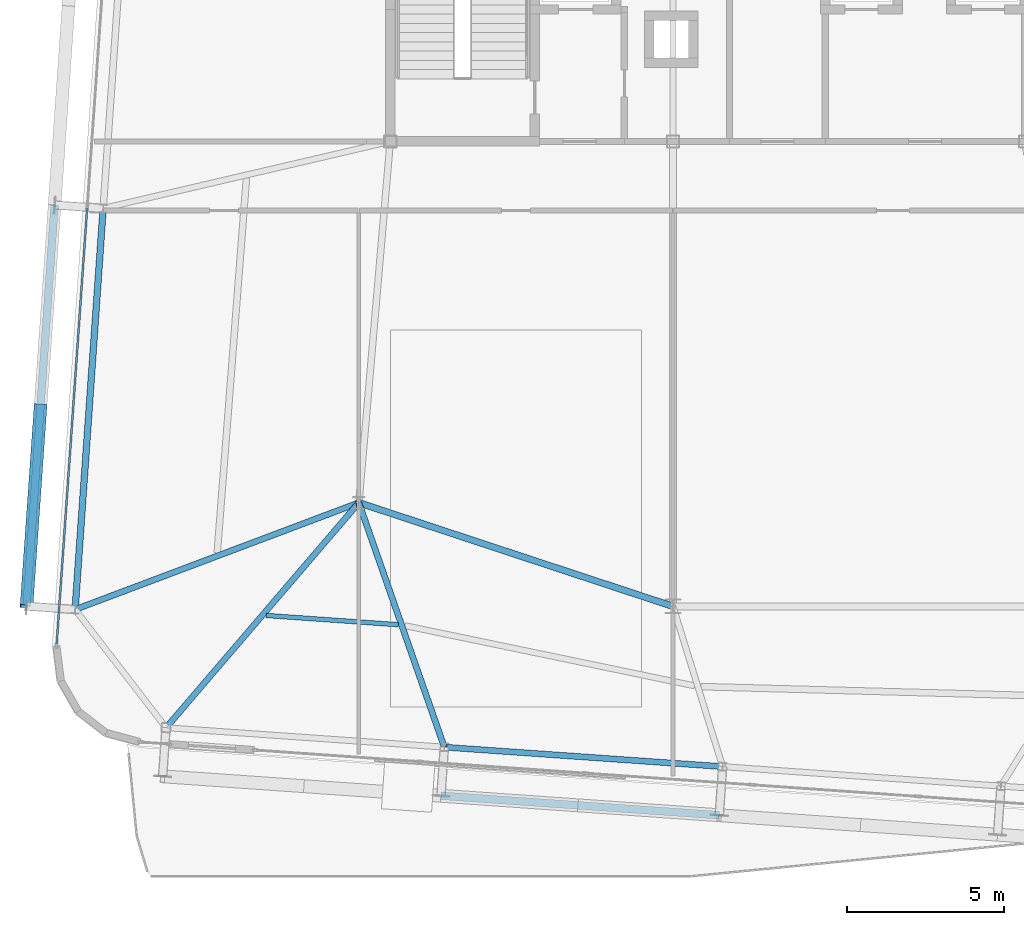
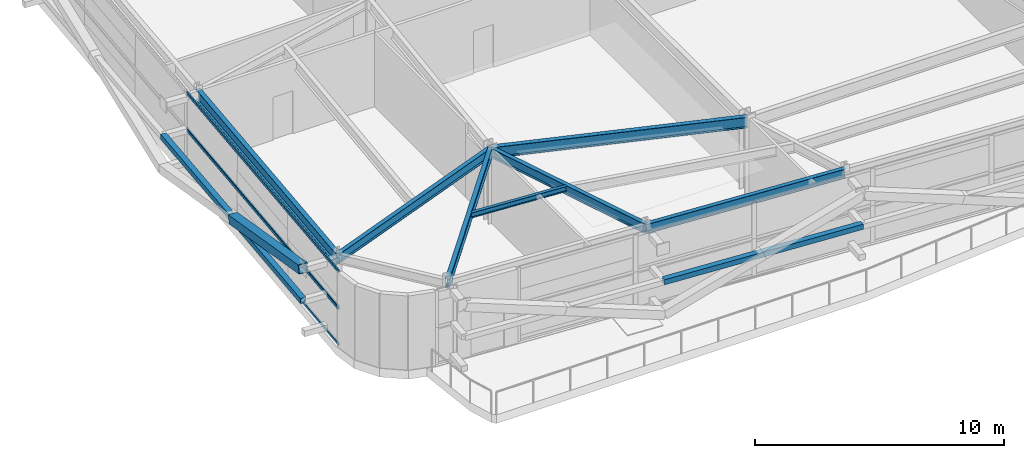
# One storey, part 7 of 36: 7 beams, 7 members, 2 elements without a shape of their own.
"""IFC4 building model written with IfcOpenShell, lengths in metres."""

from ifc_helpers import new_model, si_unit, direction, frame, origin, origin_2d, place, context, subcontext, project, spatial, hollow_rectangle, i_section, extrude, source, transform, mapped, material, layer, layer_set, material_profile, profile_set, type_object, element, aggregate, save


model = new_model("IFC4")

# Units and contexts
model_context = context("Model", 3, precision=1e-05, world=origin(), true_north=direction((0.0, 1.0)))
body_context = subcontext(model_context, "Body", "Model", "MODEL_VIEW")
ifc_project = project(units=[si_unit("LENGTHUNIT", "METRE"), si_unit("AREAUNIT", "SQUARE_METRE"), si_unit("VOLUMEUNIT", "CUBIC_METRE"), si_unit("PLANEANGLEUNIT", "RADIAN"), si_unit("MASSUNIT", "GRAM", prefix="KILO")], contexts=[model_context])

# Site, building, storey
site_placement = place(None, origin())
site = spatial("IfcSite", under=ifc_project, at=site_placement, CompositionType="ELEMENT")
building_placement = place(site_placement, origin())
building = spatial("IfcBuilding", under=site, at=building_placement, Name="Taldren Reach Tower", CompositionType="ELEMENT")
storey_placement = place(building_placement, frame((0.0, 0.0, 116.550048828125)))
storey = spatial("IfcBuildingStorey", under=building, at=storey_placement, Name="L35", CompositionType="ELEMENT", Elevation=116.550048828125)

# Beams
ifc_material_1 = material(Name="Steel Gr 350 (350PLUS)", Category="steel")
ifc_material_profile_1 = material_profile(ifc_material_1, i_section(OverallWidth=0.208984375, OverallDepth=0.532958984375, WebThickness=0.01025390625, FlangeThickness=0.015625, at=origin_2d()), Name="530UB92.4")
ifc_profile_set_1 = profile_set([ifc_material_profile_1], Name="Steel Gr 350 (350PLUS)")
beam_type_1 = type_object("IfcBeamType", Name="BM-UB530A", PredefinedType="BEAM", material=ifc_profile_set_1)
shared_shape_1 = source(origin(), body_context, "Body", "SweptSolid", [
    extrude(i_section(OverallWidth=0.208984375, OverallDepth=0.532958984375, WebThickness=0.01025390625, FlangeThickness=0.015625, at=origin_2d()), origin(), (0.0, 0.0, 1.0), 10.530517578125),
])
beam_1_placement = place(storey_placement, frame((18.0, 12.5, 3.363525390625), z_axis=(0.949627269203, -0.313381635689, 0.0), x_axis=(0.313381635689, 0.949627269203, 0.0)))
element("IfcBeam", 1, at=beam_1_placement, inside=storey, type_object=beam_type_1, Name="Core-spine girder L35-SP10", PredefinedType="BEAM", context=body_context, shape_type="MappedRepresentation", body=[
    mapped(shared_shape_1, transform((0.0, 0.0, 0.0), scale=1.0)),
])
ifc_material_profile_2 = material_profile(ifc_material_1, i_section(OverallWidth=0.18994140625, OverallDepth=0.4541015625, WebThickness=0.008544921875, FlangeThickness=0.0126953125, at=origin_2d()), Name="460UB67.1")
ifc_profile_set_2 = profile_set([ifc_material_profile_2], Name="Steel Gr 350 (350PLUS)")
beam_type_2 = type_object("IfcBeamType", Name="SP-UB460B", PredefinedType="SPANDREL", material=ifc_profile_set_2)
shared_shape_2 = source(origin(), body_context, "Body", "SweptSolid", [
    extrude(i_section(OverallWidth=0.18994140625, OverallDepth=0.4541015625, WebThickness=0.008544921875, FlangeThickness=0.0126953125, at=origin_2d()), origin(), (0.0, 0.0, 1.0), 8.880126953125),
])
beam_2_placement = place(storey_placement, frame((20.721923828125, 4.718994140625, 3.40283203125), z_axis=(0.997564479639, -0.069750333063, 0.0), x_axis=(0.069750333063, 0.997564479639, 0.0)))
element("IfcBeam", 2, at=beam_2_placement, inside=storey, type_object=beam_type_2, Name="Perimeter spandrel B3 S2-S3 L35", PredefinedType="SPANDREL", context=body_context, shape_type="MappedRepresentation", body=[
    mapped(shared_shape_2, transform((0.0, 0.0, 0.0), scale=1.0)),
])
ifc_material_profile_3 = material_profile(ifc_material_1, i_section(OverallWidth=0.208984375, OverallDepth=0.528076171875, WebThickness=0.009521484375, FlangeThickness=0.01318359375, at=origin_2d()), Name="530UB82.0")
ifc_profile_set_3 = profile_set([ifc_material_profile_3], Name="Steel Gr 350 (350PLUS)")
beam_type_3 = type_object("IfcBeamType", Name="SP-UB530B", PredefinedType="SPANDREL", material=ifc_profile_set_3)
shared_shape_3 = source(origin(), body_context, "Body", "SweptSolid", [
    extrude(i_section(OverallWidth=0.208984375, OverallDepth=0.528076171875, WebThickness=0.009521484375, FlangeThickness=0.01318359375, at=origin_2d()), origin(), (0.0, 0.0, 1.0), 12.800048828125),
])
beam_3_placement = place(storey_placement, frame((9.86181640625, 21.868408203125, 3.365966796875), z_axis=(-0.069770857464, -0.997563044348, 0.0), x_axis=(0.997563044348, -0.069770857464, 0.0)))
element("IfcBeam", 3, at=beam_3_placement, inside=storey, type_object=beam_type_3, Name="Perimeter spandrel B3 W2-W1 L35", PredefinedType="SPANDREL", context=body_context, shape_type="MappedRepresentation", body=[
    mapped(shared_shape_3, transform((0.0, 0.0, 0.0), scale=1.0)),
])
ifc_material_profile_4 = material_profile(ifc_material_1, i_section(OverallWidth=0.19091796875, OverallDepth=0.4599609375, WebThickness=0.010009765625, FlangeThickness=0.01611328125, at=origin_2d()), Name="460UB82.1")
ifc_profile_set_4 = profile_set([ifc_material_profile_4], Name="Steel Gr 350 (350PLUS)")
beam_type_4 = type_object("IfcBeamType", Name="BM-UB460A", PredefinedType="BEAM", material=ifc_profile_set_4)
shared_shape_4 = source(origin(), body_context, "Body", "SweptSolid", [
    extrude(i_section(OverallWidth=0.19091796875, OverallDepth=0.4599609375, WebThickness=0.010009765625, FlangeThickness=0.01611328125, at=origin_2d()), origin(), (0.0, 0.0, 1.0), 9.43115234375),
])
beam_4_placement = place(storey_placement, frame((18.0, 12.5, 3.39990234375), z_axis=(-0.650665584965, -0.759364402999, 0.0), x_axis=(0.759364402999, -0.650665584965, 0.0)))
element("IfcBeam", 4, at=beam_4_placement, inside=storey, type_object=beam_type_4, Name="Primary floor girder B3-S1 L35", PredefinedType="BEAM", context=body_context, shape_type="MappedRepresentation", body=[
    mapped(shared_shape_4, transform((0.0, 0.0, 0.0), scale=1.0)),
])
shared_shape_5 = source(origin(), body_context, "Body", "SweptSolid", [
    extrude(i_section(OverallWidth=0.19091796875, OverallDepth=0.4599609375, WebThickness=0.010009765625, FlangeThickness=0.01611328125, at=origin_2d()), origin(), (0.0, 0.0, 1.0), 8.243408203125),
])
beam_5_placement = place(storey_placement, frame((18.0, 12.5, 3.39990234375), z_axis=(0.330196070713, -0.943912366105, 0.0), x_axis=(0.943912366105, 0.330196070713, 0.0)))
element("IfcBeam", 5, at=beam_5_placement, inside=storey, type_object=beam_type_4, Name="Primary floor girder B3-S2 L35", PredefinedType="BEAM", context=body_context, shape_type="MappedRepresentation", body=[
    mapped(shared_shape_5, transform((0.0, 0.0, 0.0), scale=1.0)),
])
shared_shape_6 = source(origin(), body_context, "Body", "SweptSolid", [
    extrude(i_section(OverallWidth=0.19091796875, OverallDepth=0.4599609375, WebThickness=0.010009765625, FlangeThickness=0.01611328125, at=origin_2d()), origin(), (0.0, 0.0, 1.0), 9.650146484375),
])
beam_6_placement = place(storey_placement, frame((18.0, 12.5, 3.39990234375), z_axis=(-0.935862573906, -0.352365212191, 0.0), x_axis=(0.352365212191, -0.935862573906, 0.0)))
element("IfcBeam", 6, at=beam_6_placement, inside=storey, type_object=beam_type_4, Name="Primary floor girder B3-W1 L35", PredefinedType="BEAM", context=body_context, shape_type="MappedRepresentation", body=[
    mapped(shared_shape_6, transform((0.0, 0.0, 0.0), scale=1.0)),
])
ifc_material_2 = material(Name="Steel Gr 300 (300PLUS, 300 MPa)", Category="steel")
ifc_material_profile_5 = material_profile(ifc_material_2, i_section(OverallWidth=0.14599609375, OverallDepth=0.256103515625, WebThickness=0.00634765625, FlangeThickness=0.010986328125, at=origin_2d()), Name="250UB37.3")
ifc_profile_set_5 = profile_set([ifc_material_profile_5], Name="Steel Gr 300 (300PLUS, 300 MPa)")
beam_type_5 = type_object("IfcBeamType", Name="JS-UB250", PredefinedType="JOIST", material=ifc_profile_set_5)
shared_shape_7 = source(origin(), body_context, "Body", "SweptSolid", [
    extrude(i_section(OverallWidth=0.14599609375, OverallDepth=0.256103515625, WebThickness=0.00634765625, FlangeThickness=0.010986328125, at=origin_2d()), origin(), (0.0, 0.0, 1.0), 4.217041015625),
])
beam_7_placement = place(storey_placement, frame((15.050537109375, 8.910888671875, 3.501953125), z_axis=(0.997563683226, -0.069761722378, 0.0), x_axis=(0.069761722378, 0.997563683226, 0.0)))
element("IfcBeam", 7, at=beam_7_placement, inside=storey, type_object=beam_type_5, Name="Secondary floor joist B3 J1 L35", PredefinedType="JOIST", context=body_context, shape_type="MappedRepresentation", body=[
    mapped(shared_shape_7, transform((0.0, 0.0, 0.0), scale=1.0)),
])

# Members
ifc_material_3 = material(Name="Steel Gr 350 (C350L0)", Category="steel")
ifc_material_profile_6 = material_profile(ifc_material_3, hollow_rectangle(XDim=0.25, YDim=0.25, WallThickness=0.010009765625, at=origin_2d()), Name="250x250x10.0SHS")
ifc_profile_set_6 = profile_set([ifc_material_profile_6], Name="Steel Gr 350 (C350L0)")
member_type_1 = type_object("IfcMemberType", Name="MB-POST250", PredefinedType="POST", material=ifc_profile_set_6)
shared_shape_8 = source(origin(), body_context, "Body", "SweptSolid", [
    extrude(hollow_rectangle(XDim=0.25, YDim=0.25, WallThickness=0.010009765625, at=origin_2d()), origin(), (0.0, 0.0, 1.0), 8.880126953125),
])
member_1_placement = place(storey_placement, frame((20.61376953125, 3.1728515625, 1.784912109375), z_axis=(0.997562566276, -0.06977769246, 0.0), x_axis=(0.06977769246, 0.997562566276, 0.0)))
element("IfcMember", 8, at=member_1_placement, inside=storey, type_object=member_type_1, Name="Exoskeleton mid-height ring chord B3-S2 L35", PredefinedType="POST", context=body_context, shape_type="MappedRepresentation", body=[
    mapped(shared_shape_8, transform((0.0, 0.0, 0.0), scale=1.0)),
])
ifc_material_4 = material(Name="Steel Gr 450 (C450L0)", Category="steel")
ifc_material_profile_7 = material_profile(ifc_material_4, hollow_rectangle(XDim=0.409912109375, YDim=0.409912109375, WallThickness=0.01611328125, at=origin_2d()), Name="410x410x16.0SHS")
ifc_profile_set_7 = profile_set([ifc_material_profile_7], Name="Steel Gr 450 (C450L0)")
member_type_2 = type_object("IfcMemberType", Name="MB-EXO406", PredefinedType="BRACE", material=ifc_profile_set_7)
shared_shape_9 = source(origin(), body_context, "Body", "SweptSolid", [
    extrude(hollow_rectangle(XDim=0.409912109375, YDim=0.409912109375, WallThickness=0.01611328125, at=origin_2d()), origin(), (0.0, 0.0, 1.0), 6.588623046875),
])
member_2_placement = place(storey_placement, frame((7.869140625, 15.592041015625, 1.784912109375), z_axis=(-0.06777290834, -0.969015487146, 0.237520143498), x_axis=(0.997563137195, -0.069769529958, 0.0)))
element("IfcMember", 9, at=member_2_placement, inside=storey, type_object=member_type_2, Name="Exoskeleton Diagrid Brace B3-W1 L35", PredefinedType="BRACE", context=body_context, shape_type="MappedRepresentation", body=[
    mapped(shared_shape_9, transform((0.0, 0.0, 0.0), scale=1.0)),
])
shared_shape_10 = source(origin(), body_context, "Body", "SweptSolid", [
    extrude(hollow_rectangle(XDim=0.25, YDim=0.25, WallThickness=0.010009765625, at=origin_2d()), origin(), (0.0, 0.0, 1.0), 12.80029296875),
])
member_3_placement = place(storey_placement, frame((7.422607421875, 9.20751953125, 1.784912109375), z_axis=(0.069750549628, 0.997564464497, 0.0), x_axis=(-0.997564464497, 0.069750549628, 0.0)))
element("IfcMember", 10, at=member_3_placement, inside=storey, type_object=member_type_1, Name="Exoskeleton mid-height ring chord B3-W1 L35", PredefinedType="POST", context=body_context, shape_type="MappedRepresentation", body=[
    mapped(shared_shape_10, transform((0.0, 0.0, 0.0), scale=1.0)),
])

# Curtain wall, members
ifc_material_5 = material(Name="Aluminium and Low-E Glass Unitised System", Category="aluminium")
ifc_layer = layer(ifc_material_5, 0.159912109375)
ifc_layer_set = layer_set([ifc_layer], Name="Aluminium and Low-E Glass Unitised System")
curtain_wall_type = type_object("IfcCurtainWallType", Name="CW-SYS-7", PredefinedType="NOTDEFINED", material=ifc_layer_set)
curtain_wall_1_placement = place(storey_placement, origin())
curtain_wall_1 = element("IfcCurtainWall", 11, at=curtain_wall_1_placement, inside=storey, type_object=curtain_wall_type, Name="Unitised curtain wall CW-L35-W", PredefinedType="NOTDEFINED")
ifc_material_6 = material(Name="Anodised Aluminium 6063-T6", Category="aluminium")
ifc_material_profile_8 = material_profile(ifc_material_6, hollow_rectangle(XDim=0.06005859375, YDim=0.135009765625, WallThickness=0.00341796875, at=origin_2d()), Name="ALU-135x60x3.5RHS")
ifc_profile_set_8 = profile_set([ifc_material_profile_8], Name="Anodised Aluminium 6063-T6")
member_type_3 = type_object("IfcMemberType", Name="CW-TRN-150", PredefinedType="USERDEFINED", material=ifc_profile_set_8)
shared_shape_11 = source(origin(), body_context, "Body", "SweptSolid", [
    extrude(hollow_rectangle(XDim=0.06005859375, YDim=0.135009765625, WallThickness=0.00341796875, at=origin_2d()), origin(), (0.0, 0.0, 1.0), 13.887451171875),
])
member_4_placement = place(storey_placement, frame((9.350341796875, 21.866455078125, 0.030029296875), z_axis=(-0.069757750549, -0.997563960976, 0.0), x_axis=(0.997563960976, -0.069757750549, 0.0)))
member_4 = element("IfcMember", 12, at=member_4_placement, type_object=member_type_3, Name="CW-7 transom 2.1", ObjectType="TRANSOM", PredefinedType="USERDEFINED", context=body_context, shape_type="MappedRepresentation", body=[
    mapped(shared_shape_11, transform((0.0, 0.0, 0.0), scale=1.0)),
])
member_5_placement = place(storey_placement, frame((9.350341796875, 21.866455078125, 1.784912109375), z_axis=(-0.069757750549, -0.997563960976, 0.0), x_axis=(0.997563960976, -0.069757750549, 0.0)))
member_5 = element("IfcMember", 13, at=member_5_placement, type_object=member_type_3, Name="CW-7 transom 2.2", ObjectType="TRANSOM", PredefinedType="USERDEFINED", context=body_context, shape_type="MappedRepresentation", body=[
    mapped(shared_shape_11, transform((0.0, 0.0, 0.0), scale=1.0)),
])
aggregate(curtain_wall_1, [member_4, member_5])

curtain_wall_2_placement = place(storey_placement, origin())
curtain_wall_2 = element("IfcCurtainWall", 14, at=curtain_wall_2_placement, inside=storey, type_object=curtain_wall_type, Name="Unitised curtain wall CW-L35-W-T2", PredefinedType="NOTDEFINED")
member_6_placement = place(storey_placement, frame((9.350341796875, 21.866455078125, 1.844970703125), z_axis=(-0.069757750549, -0.997563960976, 0.0), x_axis=(0.997563960976, -0.069757750549, 0.0)))
member_6 = element("IfcMember", 15, at=member_6_placement, type_object=member_type_3, Name="CW-7 transom 2.1", ObjectType="TRANSOM", PredefinedType="USERDEFINED", context=body_context, shape_type="MappedRepresentation", body=[
    mapped(shared_shape_11, transform((0.0, 0.0, 0.0), scale=1.0)),
])
member_7_placement = place(storey_placement, frame((9.350341796875, 21.866455078125, 3.599853515625), z_axis=(-0.069757750549, -0.997563960976, 0.0), x_axis=(0.997563960976, -0.069757750549, 0.0)))
member_7 = element("IfcMember", 16, at=member_7_placement, type_object=member_type_3, Name="CW-7 transom 2.2", ObjectType="TRANSOM", PredefinedType="USERDEFINED", context=body_context, shape_type="MappedRepresentation", body=[
    mapped(shared_shape_11, transform((0.0, 0.0, 0.0), scale=1.0)),
])
aggregate(curtain_wall_2, [member_6, member_7])

save(model, "model.ifc")
